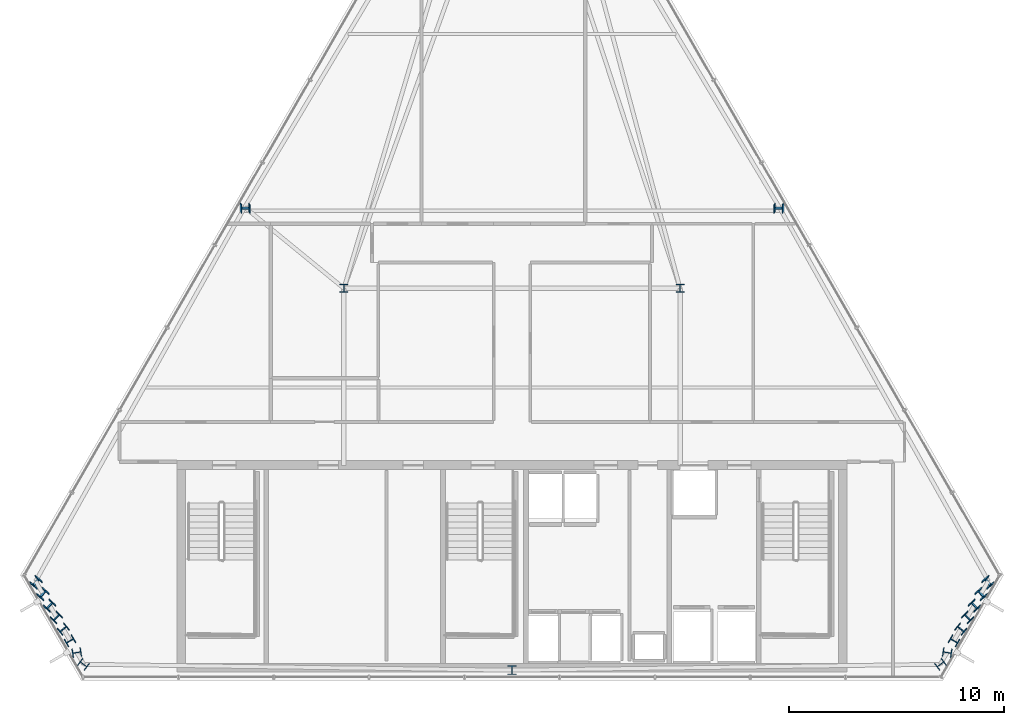
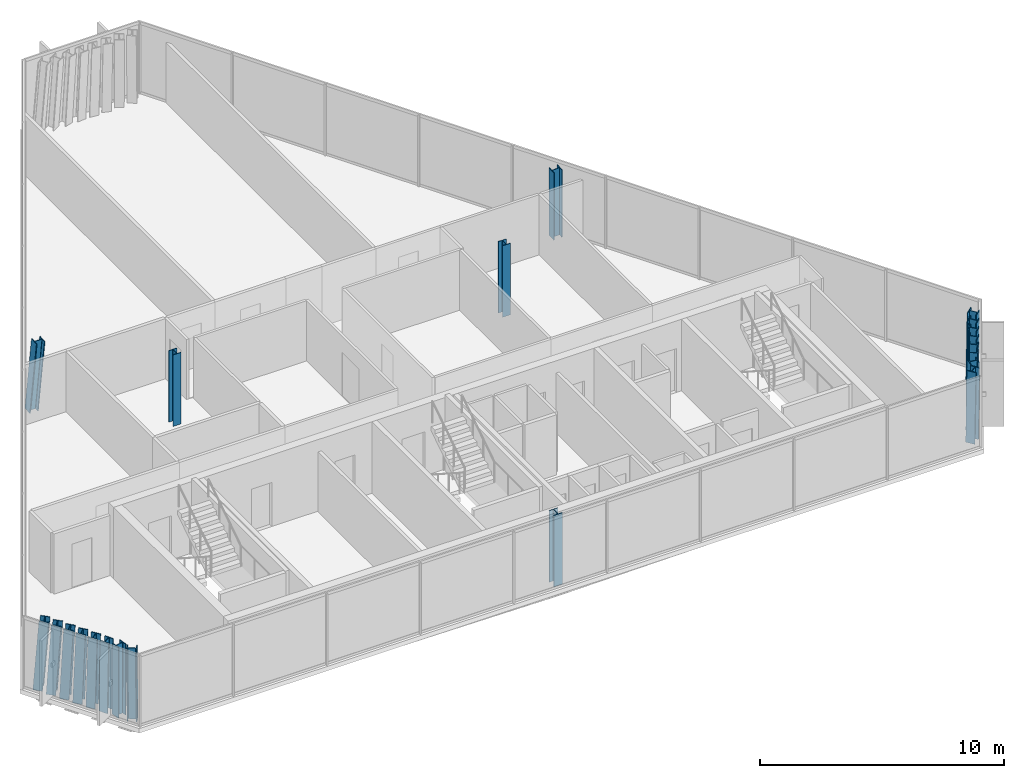
# One storey, part 1 of 34: 21 columns.
"""IFC4 building model written with IfcOpenShell, lengths in metres."""

from ifc_helpers import new_model, si_unit, direction, frame, origin, origin_2d, place, context, subcontext, project, spatial, i_section, extrude, material, material_profile, profile_set, type_object, element, save


model = new_model("IFC4")

# Units and contexts
model_context = context("Model", 3, precision=1e-05, world=origin(), true_north=direction((0.0, 1.0)))
body_context = subcontext(model_context, "Body", "Model", "MODEL_VIEW")
ifc_project = project(units=[si_unit("LENGTHUNIT", "METRE"), si_unit("AREAUNIT", "SQUARE_METRE"), si_unit("VOLUMEUNIT", "CUBIC_METRE"), si_unit("PLANEANGLEUNIT", "RADIAN"), si_unit("MASSUNIT", "GRAM", prefix="KILO")], contexts=[model_context])

# Site, building, storey
site_placement = place(None, origin())
site = spatial("IfcSite", under=ifc_project, at=site_placement, CompositionType="ELEMENT")
building_placement = place(site_placement, origin())
building = spatial("IfcBuilding", under=site, at=building_placement, Name="Ndaravel Arena Tower", CompositionType="ELEMENT")
storey_placement = place(building_placement, frame((0.0, 0.0, 267.39990234375)))
storey = spatial("IfcBuildingStorey", under=building, at=storey_placement, Name="L65", CompositionType="ELEMENT", Elevation=267.39990234375)

# Columns
ifc_material_1 = material(Name="Steel S355", Category="steel")
ifc_material_profile_1 = material_profile(ifc_material_1, i_section(OverallWidth=0.374755859375, OverallDepth=0.37451171875, WebThickness=0.0166015625, FlangeThickness=0.027099609375, FilletRadius=0.01513671875, at=origin_2d()), Name="UC 356x368x202")
ifc_profile_set_1 = profile_set([ifc_material_profile_1], Name="Steel S355")
column_type_1 = type_object("IfcColumnType", Name="COL-CRN-UC202", PredefinedType="COLUMN", material=ifc_profile_set_1)
for number, where, z_axis, x_axis, name in (
    (1, (34.199951171875, 23.199951171875, 0.0), (0.0, 0.0, 1.0), (1.0, 0.0, 0.0), "L65 Interior Spine Column IC-01"),
    (2, (49.800048828125, 23.199951171875, 0.0), (0.0, 0.0, 1.0), (1.0, 0.0, 0.0), "L65 Interior Spine Column IC-02"),
):
    element("IfcColumn", number, at=place(storey_placement, frame(where, z_axis=z_axis, x_axis=x_axis)), inside=storey, type_object=column_type_1, Name=name, PredefinedType="COLUMN", context=body_context, shape_type="SweptSolid", body=[
        extrude(i_section(OverallWidth=0.374755859375, OverallDepth=0.37451171875, WebThickness=0.0166015625, FlangeThickness=0.027099609375, FilletRadius=0.01513671875, at=origin_2d()), origin(), (0.0, 0.0, 1.0), 3.580078125),
    ])
ifc_material_2 = material(Name="Steel S355", Category="steel")
ifc_material_profile_2 = material_profile(ifc_material_2, i_section(OverallWidth=0.406005859375, OverallDepth=0.416015625, WebThickness=0.02978515625, FlangeThickness=0.03662109375, FilletRadius=0.014892578125, at=origin_2d()), Name="HD 400x382")
ifc_profile_set_2 = profile_set([ifc_material_profile_2], Name="Steel S355")
column_type_2 = type_object("IfcColumnType", Name="COL-TUBE-HD382", PredefinedType="COLUMN", material=ifc_profile_set_2)
column_1_placement = place(storey_placement, frame((42.0, 5.47998046875, 0.0), z_axis=(0.0, 0.0, 1.0), x_axis=(1.0, 0.0, 0.0)))
element("IfcColumn", 3, at=column_1_placement, inside=storey, type_object=column_type_2, Name="L65 Framed Tube Column TC-01", PredefinedType="COLUMN", context=body_context, shape_type="SweptSolid", body=[
    extrude(i_section(OverallWidth=0.406005859375, OverallDepth=0.416015625, WebThickness=0.02978515625, FlangeThickness=0.03662109375, FilletRadius=0.014892578125, at=origin_2d()), origin(), (0.0, 0.0, 1.0), 3.580078125),
])
column_2_placement = place(storey_placement, frame((61.87548828125, 5.755615234375, 0.0), z_axis=(0.012955611258, -0.005591369069, 0.999900439408), x_axis=(-0.596929933776, 0.802200299619, 0.012220206764)))
element("IfcColumn", 4, at=column_2_placement, inside=storey, type_object=column_type_2, Name="L65 Framed Tube Column TC-02", PredefinedType="COLUMN", context=body_context, shape_type="SweptSolid", body=[
    extrude(i_section(OverallWidth=0.406005859375, OverallDepth=0.416015625, WebThickness=0.02978515625, FlangeThickness=0.03662109375, FilletRadius=0.014892578125, at=origin_2d()), origin(), (0.0, 0.0, 1.0), 3.580322265625),
])
column_3_placement = place(storey_placement, frame((62.193603515625, 6.306640625, 0.0), z_axis=(0.006477395903, -0.016841229347, 0.999837194915), x_axis=(0.155838414652, 0.987658949623, 0.015626507854)))
element("IfcColumn", 5, at=column_3_placement, inside=storey, type_object=column_type_2, Name="L65 Framed Tube Column TC-03", PredefinedType="COLUMN", context=body_context, shape_type="SweptSolid", body=[
    extrude(i_section(OverallWidth=0.406005859375, OverallDepth=0.416015625, WebThickness=0.02978515625, FlangeThickness=0.03662109375, FilletRadius=0.014892578125, at=origin_2d()), origin(), (0.0, 0.0, 1.0), 3.58056640625),
])
column_4_placement = place(storey_placement, frame((62.51171875, 6.85791015625, 0.0), z_axis=(6.8167317e-05, -0.028084934649, 0.999605538099), x_axis=(0.497897359143, 0.866894828458, 0.024322338514)))
element("IfcColumn", 6, at=column_4_placement, inside=storey, type_object=column_type_2, Name="L65 Framed Tube Column TC-04", PredefinedType="COLUMN", context=body_context, shape_type="SweptSolid", body=[
    extrude(i_section(OverallWidth=0.406005859375, OverallDepth=0.416015625, WebThickness=0.02978515625, FlangeThickness=0.03662109375, FilletRadius=0.014892578125, at=origin_2d()), origin(), (0.0, 0.0, 1.0), 3.58154296875),
])
column_5_placement = place(storey_placement, frame((62.829833984375, 7.408935546875, 0.0), z_axis=(-0.006405185512, -0.03924879633, 0.999208939905), x_axis=(0.632846982023, 0.773510553601, 0.034440104691)))
element("IfcColumn", 7, at=column_5_placement, inside=storey, type_object=column_type_2, Name="L65 Framed Tube Column TC-05", PredefinedType="COLUMN", context=body_context, shape_type="SweptSolid", body=[
    extrude(i_section(OverallWidth=0.406005859375, OverallDepth=0.416015625, WebThickness=0.02978515625, FlangeThickness=0.03662109375, FilletRadius=0.014892578125, at=origin_2d()), origin(), (0.0, 0.0, 1.0), 3.5830078125),
])
column_6_placement = place(storey_placement, frame((63.148193359375, 7.9599609375, 0.0), z_axis=(-0.012939351426, -0.050395368712, 0.998645522694), x_axis=(0.699371889623, 0.71333626012, 0.045059294293)))
element("IfcColumn", 8, at=column_6_placement, inside=storey, type_object=column_type_2, Name="L65 Framed Tube Column TC-06", PredefinedType="COLUMN", context=body_context, shape_type="SweptSolid", body=[
    extrude(i_section(OverallWidth=0.406005859375, OverallDepth=0.416015625, WebThickness=0.02978515625, FlangeThickness=0.03662109375, FilletRadius=0.014892578125, at=origin_2d()), origin(), (0.0, 0.0, 1.0), 3.5849609375),
])
column_7_placement = place(storey_placement, frame((63.46630859375, 8.510986328125, 0.0), z_axis=(-0.01932684997, -0.061519268919, 0.997918760432), x_axis=(0.736036278953, 0.674634705142, 0.055844522413)))
element("IfcColumn", 9, at=column_7_placement, inside=storey, type_object=column_type_2, Name="L65 Framed Tube Column TC-07", PredefinedType="COLUMN", context=body_context, shape_type="SweptSolid", body=[
    extrude(i_section(OverallWidth=0.406005859375, OverallDepth=0.416015625, WebThickness=0.02978515625, FlangeThickness=0.03662109375, FilletRadius=0.014892578125, at=origin_2d()), origin(), (0.0, 0.0, 1.0), 3.587646484375),
])
column_8_placement = place(storey_placement, frame((63.784423828125, 9.06201171875, 0.0), z_axis=(-0.025768771988, -0.072614903648, 0.997027104024), x_axis=(0.759977664998, 0.646514681444, 0.066728669859)))
element("IfcColumn", 10, at=column_8_placement, inside=storey, type_object=column_type_2, Name="L65 Framed Tube Column TC-08", PredefinedType="COLUMN", context=body_context, shape_type="SweptSolid", body=[
    extrude(i_section(OverallWidth=0.406005859375, OverallDepth=0.416015625, WebThickness=0.02978515625, FlangeThickness=0.03662109375, FilletRadius=0.014892578125, at=origin_2d()), origin(), (0.0, 0.0, 1.0), 3.5908203125),
])
column_9_placement = place(storey_placement, frame((64.1025390625, 9.61328125, 0.0), z_axis=(-0.032193698933, -0.083744368744, 0.995967091049), x_axis=(0.776202026322, 0.62567823134, 0.077699196653)))
element("IfcColumn", 11, at=column_9_placement, inside=storey, type_object=column_type_2, Name="L65 Framed Tube Column TC-09", PredefinedType="COLUMN", context=body_context, shape_type="SweptSolid", body=[
    extrude(i_section(OverallWidth=0.406005859375, OverallDepth=0.416015625, WebThickness=0.02978515625, FlangeThickness=0.03662109375, FilletRadius=0.014892578125, at=origin_2d()), origin(), (0.0, 0.0, 1.0), 3.594482421875),
])
for number, where, z_axis, x_axis, name in (
    (12, (54.403564453125, 26.963623046875, 0.0), (-0.043478865164, -0.075340721042, 0.996209498066), (-0.001831154603, 0.997156793037, 0.075332443026), "L65 Framed Tube Column TC-10"),
    (13, (29.596435546875, 26.963623046875, 0.0), (0.043478865164, -0.075340721042, 0.996209498066), (0.001831154603, 0.997156793037, 0.075332443026), "L65 Framed Tube Column TC-19"),
):
    element("IfcColumn", number, at=place(storey_placement, frame(where, z_axis=z_axis, x_axis=x_axis)), inside=storey, type_object=column_type_2, Name=name, PredefinedType="COLUMN", context=body_context, shape_type="SweptSolid", body=[
        extrude(i_section(OverallWidth=0.406005859375, OverallDepth=0.416015625, WebThickness=0.02978515625, FlangeThickness=0.03662109375, FilletRadius=0.014892578125, at=origin_2d()), origin(), (0.0, 0.0, 1.0), 3.59375),
    ])
column_10_placement = place(storey_placement, frame((19.8974609375, 9.61328125, 0.0), z_axis=(0.032193698933, -0.083744368744, 0.995967091049), x_axis=(-0.776202026322, 0.62567823134, 0.077699196653)))
element("IfcColumn", 14, at=column_10_placement, inside=storey, type_object=column_type_2, Name="L65 Framed Tube Column TC-20", PredefinedType="COLUMN", context=body_context, shape_type="SweptSolid", body=[
    extrude(i_section(OverallWidth=0.406005859375, OverallDepth=0.416015625, WebThickness=0.02978515625, FlangeThickness=0.03662109375, FilletRadius=0.014892578125, at=origin_2d()), origin(), (0.0, 0.0, 1.0), 3.594482421875),
])
column_11_placement = place(storey_placement, frame((20.215576171875, 9.06201171875, 0.0), z_axis=(0.025768771988, -0.072614903648, 0.997027104024), x_axis=(-0.759977664998, 0.646514681444, 0.066728669859)))
element("IfcColumn", 15, at=column_11_placement, inside=storey, type_object=column_type_2, Name="L65 Framed Tube Column TC-21", PredefinedType="COLUMN", context=body_context, shape_type="SweptSolid", body=[
    extrude(i_section(OverallWidth=0.406005859375, OverallDepth=0.416015625, WebThickness=0.02978515625, FlangeThickness=0.03662109375, FilletRadius=0.014892578125, at=origin_2d()), origin(), (0.0, 0.0, 1.0), 3.5908203125),
])
column_12_placement = place(storey_placement, frame((20.53369140625, 8.510986328125, 0.0), z_axis=(0.01932684997, -0.061519268919, 0.997918760432), x_axis=(-0.736036278953, 0.674634705142, 0.055844522413)))
element("IfcColumn", 16, at=column_12_placement, inside=storey, type_object=column_type_2, Name="L65 Framed Tube Column TC-22", PredefinedType="COLUMN", context=body_context, shape_type="SweptSolid", body=[
    extrude(i_section(OverallWidth=0.406005859375, OverallDepth=0.416015625, WebThickness=0.02978515625, FlangeThickness=0.03662109375, FilletRadius=0.014892578125, at=origin_2d()), origin(), (0.0, 0.0, 1.0), 3.587646484375),
])
column_13_placement = place(storey_placement, frame((20.851806640625, 7.9599609375, 0.0), z_axis=(0.012939351426, -0.050395368712, 0.998645522694), x_axis=(-0.699371889623, 0.71333626012, 0.045059294293)))
element("IfcColumn", 17, at=column_13_placement, inside=storey, type_object=column_type_2, Name="L65 Framed Tube Column TC-23", PredefinedType="COLUMN", context=body_context, shape_type="SweptSolid", body=[
    extrude(i_section(OverallWidth=0.406005859375, OverallDepth=0.416015625, WebThickness=0.02978515625, FlangeThickness=0.03662109375, FilletRadius=0.014892578125, at=origin_2d()), origin(), (0.0, 0.0, 1.0), 3.5849609375),
])
column_14_placement = place(storey_placement, frame((21.170166015625, 7.408935546875, 0.0), z_axis=(0.006405185512, -0.03924879633, 0.999208939905), x_axis=(-0.632846982023, 0.773510553601, 0.034440104691)))
element("IfcColumn", 18, at=column_14_placement, inside=storey, type_object=column_type_2, Name="L65 Framed Tube Column TC-24", PredefinedType="COLUMN", context=body_context, shape_type="SweptSolid", body=[
    extrude(i_section(OverallWidth=0.406005859375, OverallDepth=0.416015625, WebThickness=0.02978515625, FlangeThickness=0.03662109375, FilletRadius=0.014892578125, at=origin_2d()), origin(), (0.0, 0.0, 1.0), 3.5830078125),
])
column_15_placement = place(storey_placement, frame((21.48828125, 6.85791015625, 0.0), z_axis=(-6.8167317e-05, -0.028084934649, 0.999605538099), x_axis=(-0.497897359143, 0.866894828458, 0.024322338514)))
element("IfcColumn", 19, at=column_15_placement, inside=storey, type_object=column_type_2, Name="L65 Framed Tube Column TC-25", PredefinedType="COLUMN", context=body_context, shape_type="SweptSolid", body=[
    extrude(i_section(OverallWidth=0.406005859375, OverallDepth=0.416015625, WebThickness=0.02978515625, FlangeThickness=0.03662109375, FilletRadius=0.014892578125, at=origin_2d()), origin(), (0.0, 0.0, 1.0), 3.58154296875),
])
column_16_placement = place(storey_placement, frame((21.806396484375, 6.306640625, 0.0), z_axis=(-0.006477395903, -0.016841229347, 0.999837194915), x_axis=(-0.155838414652, 0.987658949623, 0.015626507854)))
element("IfcColumn", 20, at=column_16_placement, inside=storey, type_object=column_type_2, Name="L65 Framed Tube Column TC-26", PredefinedType="COLUMN", context=body_context, shape_type="SweptSolid", body=[
    extrude(i_section(OverallWidth=0.406005859375, OverallDepth=0.416015625, WebThickness=0.02978515625, FlangeThickness=0.03662109375, FilletRadius=0.014892578125, at=origin_2d()), origin(), (0.0, 0.0, 1.0), 3.58056640625),
])
column_17_placement = place(storey_placement, frame((22.12451171875, 5.755615234375, 0.0), z_axis=(-0.012955611258, -0.005591369069, 0.999900439408), x_axis=(0.596929933776, 0.802200299619, 0.012220206764)))
element("IfcColumn", 21, at=column_17_placement, inside=storey, type_object=column_type_2, Name="L65 Framed Tube Column TC-27", PredefinedType="COLUMN", context=body_context, shape_type="SweptSolid", body=[
    extrude(i_section(OverallWidth=0.406005859375, OverallDepth=0.416015625, WebThickness=0.02978515625, FlangeThickness=0.03662109375, FilletRadius=0.014892578125, at=origin_2d()), origin(), (0.0, 0.0, 1.0), 3.580322265625),
])

save(model, "model.ifc")
